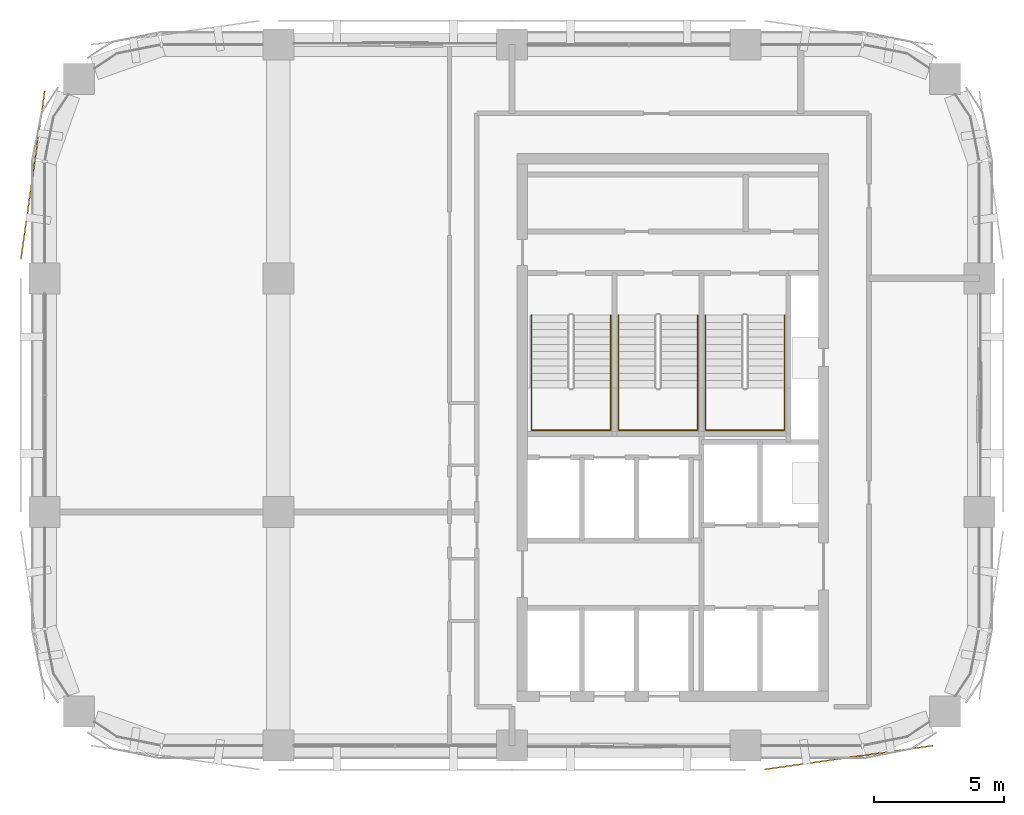
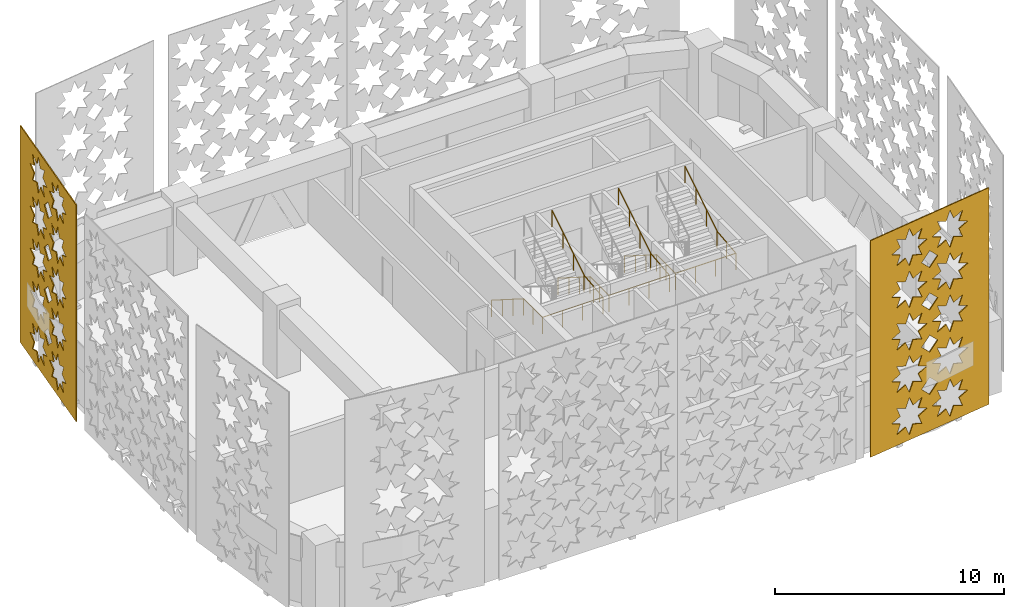
# One storey, part 11 of 14: 3 railings, 2 coverings.
"""IFC4 building model written with IfcOpenShell, lengths in metres."""

from ifc_helpers import new_model, si_unit, direction, frame, origin, origin_2d, place, context, subcontext, project, spatial, polyline, circle, outline, extrude, material, layer, layer_set, type_object, element, save


model = new_model("IFC4")

# Units and contexts
model_context = context("Model", 3, precision=1e-05, world=origin(), true_north=direction((0.0, 1.0)))
body_context = subcontext(model_context, "Body", "Model", "MODEL_VIEW")
ifc_project = project(units=[si_unit("LENGTHUNIT", "METRE"), si_unit("AREAUNIT", "SQUARE_METRE"), si_unit("VOLUMEUNIT", "CUBIC_METRE"), si_unit("PLANEANGLEUNIT", "RADIAN"), si_unit("MASSUNIT", "GRAM", prefix="KILO")], contexts=[model_context])

# Site, building, storey
site_placement = place(None, origin())
site = spatial("IfcSite", under=ifc_project, at=site_placement, CompositionType="ELEMENT")
building_placement = place(site_placement, origin())
building = spatial("IfcBuilding", under=site, at=building_placement, Name="Tessera Arch", CompositionType="ELEMENT")
storey_placement = place(building_placement, frame((0.0, 0.0, 269.60009765625)))
storey = spatial("IfcBuildingStorey", under=building, at=storey_placement, Name="L65", CompositionType="ELEMENT", Elevation=269.60009765625)

# Coverings
ifc_material_1 = material(Name="Anodised aluminium pale metal", Category="aluminium")
ifc_layer = layer(ifc_material_1, 0.050048828125)
ifc_layer_set = layer_set([ifc_layer], Name="Pierced screen panel corner bay")
covering_type = type_object("IfcCoveringType", Name="Pierced screen panel corner bay", PredefinedType="CLADDING", material=ifc_layer_set)
covering_1_placement = place(storey_placement, frame((18.02587890625, 52.2080078125, 11.699951171875), z_axis=(0.990141011378, -0.140074186016, 0.0), x_axis=(-0.140074186016, -0.990141011378, 0.0)))
element("IfcCovering", 1, at=covering_1_placement, inside=storey, type_object=covering_type, Name="SCREEN pierced panel W18.27/0 L65-L67", PredefinedType="CLADDING", context=body_context, shape_type="SweptSolid", body=[
    extrude(outline(polyline([(0.0, 0.0), (6.546475218445481, 0.0), (6.546475218445481, 11.5400390625), (0.0, 11.5400390625), (0.0, 0.0)]), holes=[polyline([(3.137858409575383, 10.27001953125), (2.6469229422635148, 10.06298828125), (2.8479028079497066, 9.570068359375), (2.354999273675671, 9.77099609375), (2.1478734734576217, 9.280029296875), (1.941990539265672, 9.77099609375), (1.447878336764857, 9.570068359375), (1.6490657382970841, 10.06298828125), (1.15788853733986, 10.27001953125), (1.6490657382970841, 10.47705078125), (1.447878336764857, 10.969970703125), (1.941990539265672, 10.76904296875), (2.1478734734576217, 11.260009765625), (2.354999273675671, 10.76904296875), (2.8479028079497066, 10.969970703125), (2.6469229422635148, 10.47705078125), (3.137858409575383, 10.27001953125)]), polyline([(3.137858409575383, 8.02001953125), (2.6469229422635148, 7.81298828125), (2.8479028079497066, 7.320068359375), (2.354999273675671, 7.52099609375), (2.1478734734576217, 7.030029296875), (1.941990539265672, 7.52099609375), (1.447878336764857, 7.320068359375), (1.6490657382970841, 7.81298828125), (1.15788853733986, 8.02001953125), (1.6490657382970841, 8.22705078125), (1.447878336764857, 8.719970703125), (1.941990539265672, 8.51904296875), (2.1478734734576217, 9.010009765625), (2.354999273675671, 8.51904296875), (2.8479028079497066, 8.719970703125), (2.6469229422635148, 8.22705078125), (3.137858409575383, 8.02001953125)]), polyline([(3.137858409575383, 5.77001953125), (2.6469229422635148, 5.56298828125), (2.8479028079497066, 5.070068359375), (2.354999273675671, 5.27099609375), (2.1478734734576217, 4.780029296875), (1.941990539265672, 5.27099609375), (1.447878336764857, 5.070068359375), (1.6490657382970841, 5.56298828125), (1.15788853733986, 5.77001953125), (1.6490657382970841, 5.97705078125), (1.447878336764857, 6.469970703125), (1.941990539265672, 6.26904296875), (2.1478734734576217, 6.760009765625), (2.354999273675671, 6.26904296875), (2.8479028079497066, 6.469970703125), (2.6469229422635148, 5.97705078125), (3.137858409575383, 5.77001953125)]), polyline([(3.137858409575383, 3.52001953125), (2.6469229422635148, 3.31298828125), (2.8479028079497066, 2.820068359375), (2.354999273675671, 3.02099609375), (2.1478734734576217, 2.530029296875), (1.941990539265672, 3.02099609375), (1.447878336764857, 2.820068359375), (1.6490657382970841, 3.31298828125), (1.15788853733986, 3.52001953125), (1.6490657382970841, 3.72705078125), (1.447878336764857, 4.219970703125), (1.941990539265672, 4.01904296875), (2.1478734734576217, 4.510009765625), (2.354999273675671, 4.01904296875), (2.8479028079497066, 4.219970703125), (2.6469229422635148, 3.72705078125), (3.137858409575383, 3.52001953125)]), polyline([(3.137858409575383, 1.27001953125), (2.6469229422635148, 1.06298828125), (2.8479028079497066, 0.570068359375), (2.354999273675671, 0.77099609375), (2.1478734734576217, 0.280029296875), (1.941990539265672, 0.77099609375), (1.447878336764857, 0.570068359375), (1.6490657382970841, 1.06298828125), (1.15788853733986, 1.27001953125), (1.6490657382970841, 1.47705078125), (1.447878336764857, 1.969970703125), (1.941990539265672, 1.76904296875), (2.1478734734576217, 2.260009765625), (2.354999273675671, 1.76904296875), (2.8479028079497066, 1.969970703125), (2.6469229422635148, 1.47705078125), (3.137858409575383, 1.27001953125)]), polyline([(5.387827282370234, 10.27001953125), (4.896891815058366, 10.06298828125), (5.097871680744557, 9.570068359375), (4.604968146470521, 9.77099609375), (4.397842346252473, 9.280029296875), (4.191959412060523, 9.77099609375), (3.698088943205064, 9.570068359375), (3.899034611091935, 10.06298828125), (3.407857410134711, 10.27001953125), (3.899034611091935, 10.47705078125), (3.698088943205064, 10.969970703125), (4.191959412060523, 10.76904296875), (4.397842346252473, 11.260009765625), (4.604968146470521, 10.76904296875), (5.097871680744557, 10.969970703125), (4.896891815058366, 10.47705078125), (5.387827282370234, 10.27001953125)]), polyline([(5.387827282370234, 8.02001953125), (4.896891815058366, 7.81298828125), (5.097871680744557, 7.320068359375), (4.604968146470521, 7.52099609375), (4.397842346252473, 7.030029296875), (4.191959412060523, 7.52099609375), (3.698088943205064, 7.320068359375), (3.899034611091935, 7.81298828125), (3.407857410134711, 8.02001953125), (3.899034611091935, 8.22705078125), (3.698088943205064, 8.719970703125), (4.191959412060523, 8.51904296875), (4.397842346252473, 9.010009765625), (4.604968146470521, 8.51904296875), (5.097871680744557, 8.719970703125), (4.896891815058366, 8.22705078125), (5.387827282370234, 8.02001953125)]), polyline([(5.387827282370234, 5.77001953125), (4.896891815058366, 5.56298828125), (5.097871680744557, 5.070068359375), (4.604968146470521, 5.27099609375), (4.397842346252473, 4.780029296875), (4.191959412060523, 5.27099609375), (3.698088943205064, 5.070068359375), (3.899034611091935, 5.56298828125), (3.407857410134711, 5.77001953125), (3.899034611091935, 5.97705078125), (3.698088943205064, 6.469970703125), (4.191959412060523, 6.26904296875), (4.397842346252473, 6.760009765625), (4.604968146470521, 6.26904296875), (5.097871680744557, 6.469970703125), (4.896891815058366, 5.97705078125), (5.387827282370234, 5.77001953125)]), polyline([(5.387827282370234, 3.52001953125), (4.896891815058366, 3.31298828125), (5.097871680744557, 2.820068359375), (4.604968146470521, 3.02099609375), (4.397842346252473, 2.530029296875), (4.191959412060523, 3.02099609375), (3.698088943205064, 2.820068359375), (3.899034611091935, 3.31298828125), (3.407857410134711, 3.52001953125), (3.899034611091935, 3.72705078125), (3.698088943205064, 4.219970703125), (4.191959412060523, 4.01904296875), (4.397842346252473, 4.510009765625), (4.604968146470521, 4.01904296875), (5.097871680744557, 4.219970703125), (4.896891815058366, 3.72705078125), (5.387827282370234, 3.52001953125)]), polyline([(5.387827282370234, 1.27001953125), (4.896891815058366, 1.06298828125), (5.097871680744557, 0.570068359375), (4.604968146470521, 0.77099609375), (4.397842346252473, 0.280029296875), (4.191959412060523, 0.77099609375), (3.698088943205064, 0.570068359375), (3.899034611091935, 1.06298828125), (3.407857410134711, 1.27001953125), (3.899034611091935, 1.47705078125), (3.698088943205064, 1.969970703125), (4.191959412060523, 1.76904296875), (4.397842346252473, 2.260009765625), (4.604968146470521, 1.76904296875), (5.097871680744557, 1.969970703125), (4.896891815058366, 1.47705078125), (5.387827282370234, 1.27001953125)]), polyline([(3.7229828105764913, 9.14501953125), (3.2729958755773856, 8.695068359375), (2.8229747427789587, 9.14501953125), (3.2729958755773856, 9.594970703125), (3.7229828105764913, 9.14501953125)]), polyline([(3.7229828105764913, 6.89501953125), (3.2729958755773856, 6.445068359375), (2.8229747427789587, 6.89501953125), (3.2729958755773856, 7.344970703125), (3.7229828105764913, 6.89501953125)]), polyline([(3.7229828105764913, 4.64501953125), (3.2729958755773856, 4.195068359375), (2.8229747427789587, 4.64501953125), (3.2729958755773856, 5.094970703125), (3.7229828105764913, 4.64501953125)]), polyline([(3.7229828105764913, 2.39501953125), (3.2729958755773856, 1.945068359375), (2.8229747427789587, 2.39501953125), (3.2729958755773856, 2.844970703125), (3.7229828105764913, 2.39501953125)])]), origin(), (0.0, 0.0, -1.0), 0.050048828125),
])
covering_2_placement = place(storey_placement, frame((45.72607421875, 26.10888671875, 11.699951171875), z_axis=(-0.140074186016, 0.990141011378, 0.0), x_axis=(0.990141011378, 0.140074186016, 0.0)))
element("IfcCovering", 2, at=covering_2_placement, inside=storey, type_object=covering_type, Name="SCREEN pierced panel S27.18/3 L65-L67", PredefinedType="CLADDING", context=body_context, shape_type="SweptSolid", body=[
    extrude(outline(polyline([(0.0, 0.0), (6.546475218445481, 0.0), (6.546475218445481, 11.5400390625), (0.0, 11.5400390625), (0.0, 0.0)]), holes=[polyline([(3.1378926073747033, 10.27001953125), (2.646957140062835, 10.06298828125), (2.8479028079497066, 9.570068359375), (2.354999273675671, 9.77099609375), (2.147907671256942, 9.280029296875), (1.941990539265672, 9.77099609375), (1.4481200704102128, 9.570068359375), (1.6490657382970841, 10.06298828125), (1.158130270985216, 10.27001953125), (1.6490657382970841, 10.47705078125), (1.4481200704102128, 10.969970703125), (1.941990539265672, 10.76904296875), (2.147907671256942, 11.260009765625), (2.354999273675671, 10.76904296875), (2.8479028079497066, 10.969970703125), (2.646957140062835, 10.47705078125), (3.1378926073747033, 10.27001953125)]), polyline([(3.1378926073747033, 8.02001953125), (2.646957140062835, 7.81298828125), (2.8479028079497066, 7.320068359375), (2.354999273675671, 7.52099609375), (2.147907671256942, 7.030029296875), (1.941990539265672, 7.52099609375), (1.4481200704102128, 7.320068359375), (1.6490657382970841, 7.81298828125), (1.158130270985216, 8.02001953125), (1.6490657382970841, 8.22705078125), (1.4481200704102128, 8.719970703125), (1.941990539265672, 8.51904296875), (2.147907671256942, 9.010009765625), (2.354999273675671, 8.51904296875), (2.8479028079497066, 8.719970703125), (2.646957140062835, 8.22705078125), (3.1378926073747033, 8.02001953125)]), polyline([(3.1378926073747033, 5.77001953125), (2.646957140062835, 5.56298828125), (2.8479028079497066, 5.070068359375), (2.354999273675671, 5.27099609375), (2.147907671256942, 4.780029296875), (1.941990539265672, 5.27099609375), (1.4481200704102128, 5.070068359375), (1.6490657382970841, 5.56298828125), (1.158130270985216, 5.77001953125), (1.6490657382970841, 5.97705078125), (1.4481200704102128, 6.469970703125), (1.941990539265672, 6.26904296875), (2.147907671256942, 6.760009765625), (2.354999273675671, 6.26904296875), (2.8479028079497066, 6.469970703125), (2.646957140062835, 5.97705078125), (3.1378926073747033, 5.77001953125)]), polyline([(3.1378926073747033, 3.52001953125), (2.646957140062835, 3.31298828125), (2.8479028079497066, 2.820068359375), (2.354999273675671, 3.02099609375), (2.147907671256942, 2.530029296875), (1.941990539265672, 3.02099609375), (1.4481200704102128, 2.820068359375), (1.6490657382970841, 3.31298828125), (1.158130270985216, 3.52001953125), (1.6490657382970841, 3.72705078125), (1.4481200704102128, 4.219970703125), (1.941990539265672, 4.01904296875), (2.147907671256942, 4.510009765625), (2.354999273675671, 4.01904296875), (2.8479028079497066, 4.219970703125), (2.646957140062835, 3.72705078125), (3.1378926073747033, 3.52001953125)]), polyline([(3.1378926073747033, 1.27001953125), (2.646957140062835, 1.06298828125), (2.8479028079497066, 0.570068359375), (2.354999273675671, 0.77099609375), (2.147907671256942, 0.280029296875), (1.941990539265672, 0.77099609375), (1.4481200704102128, 0.570068359375), (1.6490657382970841, 1.06298828125), (1.158130270985216, 1.27001953125), (1.6490657382970841, 1.47705078125), (1.4481200704102128, 1.969970703125), (1.941990539265672, 1.76904296875), (2.147907671256942, 2.260009765625), (2.354999273675671, 1.76904296875), (2.8479028079497066, 1.969970703125), (2.646957140062835, 1.47705078125), (3.1378926073747033, 1.27001953125)]), polyline([(5.387861480169554, 10.27001953125), (4.896926012857686, 10.06298828125), (5.097871680744557, 9.570068359375), (4.604968146470521, 9.77099609375), (4.398118277697149, 9.280029296875), (4.191959412060523, 9.77099609375), (3.698088943205064, 9.570068359375), (3.899034611091935, 10.06298828125), (3.408099143780067, 10.27001953125), (3.899034611091935, 10.47705078125), (3.698088943205064, 10.969970703125), (4.191959412060523, 10.76904296875), (4.398118277697149, 11.260009765625), (4.604968146470521, 10.76904296875), (5.097871680744557, 10.969970703125), (4.896926012857686, 10.47705078125), (5.387861480169554, 10.27001953125)]), polyline([(5.387861480169554, 8.02001953125), (4.896926012857686, 7.81298828125), (5.097871680744557, 7.320068359375), (4.604968146470521, 7.52099609375), (4.398118277697149, 7.030029296875), (4.191959412060523, 7.52099609375), (3.698088943205064, 7.320068359375), (3.899034611091935, 7.81298828125), (3.408099143780067, 8.02001953125), (3.899034611091935, 8.22705078125), (3.698088943205064, 8.719970703125), (4.191959412060523, 8.51904296875), (4.398118277697149, 9.010009765625), (4.604968146470521, 8.51904296875), (5.097871680744557, 8.719970703125), (4.896926012857686, 8.22705078125), (5.387861480169554, 8.02001953125)]), polyline([(5.387861480169554, 5.77001953125), (4.896926012857686, 5.56298828125), (5.097871680744557, 5.070068359375), (4.604968146470521, 5.27099609375), (4.398118277697149, 4.780029296875), (4.191959412060523, 5.27099609375), (3.698088943205064, 5.070068359375), (3.899034611091935, 5.56298828125), (3.408099143780067, 5.77001953125), (3.899034611091935, 5.97705078125), (3.698088943205064, 6.469970703125), (4.191959412060523, 6.26904296875), (4.398118277697149, 6.760009765625), (4.604968146470521, 6.26904296875), (5.097871680744557, 6.469970703125), (4.896926012857686, 5.97705078125), (5.387861480169554, 5.77001953125)]), polyline([(5.387861480169554, 3.52001953125), (4.896926012857686, 3.31298828125), (5.097871680744557, 2.820068359375), (4.604968146470521, 3.02099609375), (4.398118277697149, 2.530029296875), (4.191959412060523, 3.02099609375), (3.698088943205064, 2.820068359375), (3.899034611091935, 3.31298828125), (3.408099143780067, 3.52001953125), (3.899034611091935, 3.72705078125), (3.698088943205064, 4.219970703125), (4.191959412060523, 4.01904296875), (4.398118277697149, 4.510009765625), (4.604968146470521, 4.01904296875), (5.097871680744557, 4.219970703125), (4.896926012857686, 3.72705078125), (5.387861480169554, 3.52001953125)]), polyline([(5.387861480169554, 1.27001953125), (4.896926012857686, 1.06298828125), (5.097871680744557, 0.570068359375), (4.604968146470521, 0.77099609375), (4.398118277697149, 0.280029296875), (4.191959412060523, 0.77099609375), (3.698088943205064, 0.570068359375), (3.899034611091935, 1.06298828125), (3.408099143780067, 1.27001953125), (3.899034611091935, 1.47705078125), (3.698088943205064, 1.969970703125), (4.191959412060523, 1.76904296875), (4.398118277697149, 2.260009765625), (4.604968146470521, 1.76904296875), (5.097871680744557, 1.969970703125), (4.896926012857686, 1.47705078125), (5.387861480169554, 1.27001953125)]), polyline([(3.7229828105764913, 9.14501953125), (3.2729958755773856, 8.695068359375), (2.823008940578279, 9.14501953125), (3.2729958755773856, 9.594970703125), (3.7229828105764913, 9.14501953125)]), polyline([(3.7229828105764913, 6.89501953125), (3.2729958755773856, 6.445068359375), (2.823008940578279, 6.89501953125), (3.2729958755773856, 7.344970703125), (3.7229828105764913, 6.89501953125)]), polyline([(3.7229828105764913, 4.64501953125), (3.2729958755773856, 4.195068359375), (2.823008940578279, 4.64501953125), (3.2729958755773856, 5.094970703125), (3.7229828105764913, 4.64501953125)]), polyline([(3.7229828105764913, 2.39501953125), (3.2729958755773856, 1.945068359375), (2.823008940578279, 2.39501953125), (3.2729958755773856, 2.844970703125), (3.7229828105764913, 2.39501953125)])]), origin(), (0.0, 0.0, -1.0), 0.050048828125),
])

# Railings
ifc_material_2 = material(Name="Painted steel handrail", Category="steel")
railing_type = type_object("IfcRailingType", Name="Stair handrail 900", PredefinedType="HANDRAIL", material=ifc_material_2)
railing_1_placement = place(storey_placement, frame((36.75, 43.580078125, 0.17724609375)))
element("IfcRailing", 3, at=railing_1_placement, inside=storey, type_object=railing_type, Name="L65 S1a stair handrail", PredefinedType="HANDRAIL", context=body_context, shape_type="SweptSolid", body=[
    extrude(circle(Radius=0.02392578125, at=origin_2d()), frame((0.0, 0.00341796875, 0.873779296875), z_axis=(0.0, -0.844908973607, 0.534910110503), x_axis=(1.0, 0.0, 0.0)), (0.0, 0.0, 1.0), 3.322021484375),
    extrude(circle(Radius=0.02392578125, at=origin_2d()), frame((0.0, -2.796142578125, 2.6484375), z_axis=(0.0, -1.0, 0.0), x_axis=(1.0, 0.0, 0.0)), (0.0, 0.0, 1.0), 1.63818359375),
    extrude(circle(Radius=0.02392578125, at=origin_2d()), frame((-0.00390625, -4.43017578125, 2.6484375), z_axis=(1.0, 0.0, 0.0), x_axis=(0.0, 1.0, 0.0)), (0.0, 0.0, 1.0), 3.05810546875),
    extrude(circle(Radius=0.02392578125, at=origin_2d()), frame((3.050048828125, -4.43408203125, 2.648193359375), z_axis=(0.0, 0.994140637614, 0.108094369164), x_axis=(-1.0, 0.0, 0.0)), (0.0, 0.0, 1.0), 1.647705078125),
    extrude(circle(Radius=0.02392578125, at=origin_2d()), frame((3.050048828125, -2.803466796875, 2.82373046875), z_axis=(0.0, 0.844908973607, 0.534910110503), x_axis=(-1.0, 0.0, 0.0)), (0.0, 0.0, 1.0), 3.322021484375),
    extrude(circle(Radius=0.02099609375, at=origin_2d()), origin(), (0.0, 0.0, 1.0), 0.86376953125),
    extrude(circle(Radius=0.02099609375, at=origin_2d()), frame((0.0, -0.933349609375, 0.5908203125)), (0.0, 0.0, 1.0), 0.86376953125),
    extrude(circle(Radius=0.02099609375, at=origin_2d()), frame((0.0, -1.86669921875, 1.181884765625)), (0.0, 0.0, 1.0), 0.86376953125),
    extrude(circle(Radius=0.02099609375, at=origin_2d()), frame((0.0, -2.800048828125, 1.772705078125)), (0.0, 0.0, 1.0), 0.86376953125),
    extrude(circle(Radius=0.02099609375, at=origin_2d()), frame((0.0, -3.615234375, 1.772705078125)), (0.0, 0.0, 1.0), 0.86376953125),
    extrude(circle(Radius=0.02099609375, at=origin_2d()), frame((0.0, -4.43017578125, 1.772705078125)), (0.0, 0.0, 1.0), 0.86376953125),
    extrude(circle(Radius=0.02099609375, at=origin_2d()), frame((1.0166015625, -4.43017578125, 1.772705078125)), (0.0, 0.0, 1.0), 0.86376953125),
    extrude(circle(Radius=0.02099609375, at=origin_2d()), frame((2.033447265625, -4.43017578125, 1.772705078125)), (0.0, 0.0, 1.0), 0.86376953125),
    extrude(circle(Radius=0.02099609375, at=origin_2d()), frame((3.050048828125, -4.43017578125, 1.772705078125)), (0.0, 0.0, 1.0), 0.86376953125),
    extrude(circle(Radius=0.02099609375, at=origin_2d()), frame((3.050048828125, -3.615234375, 1.861328125)), (0.0, 0.0, 1.0), 0.86376953125),
    extrude(circle(Radius=0.02099609375, at=origin_2d()), frame((3.050048828125, -2.800048828125, 1.949951171875)), (0.0, 0.0, 1.0), 0.86376953125),
    extrude(circle(Radius=0.02099609375, at=origin_2d()), frame((3.050048828125, -1.86669921875, 2.540771484375)), (0.0, 0.0, 1.0), 0.86376953125),
    extrude(circle(Radius=0.02099609375, at=origin_2d()), frame((3.050048828125, -0.933349609375, 3.1318359375)), (0.0, 0.0, 1.0), 0.86376953125),
    extrude(circle(Radius=0.02099609375, at=origin_2d()), frame((3.050048828125, 0.0, 3.72265625)), (0.0, 0.0, 1.0), 0.86376953125),
])
railing_2_placement = place(storey_placement, frame((40.10009765625, 43.580078125, 0.17724609375)))
element("IfcRailing", 4, at=railing_2_placement, inside=storey, type_object=railing_type, Name="L65 S1b stair handrail", PredefinedType="HANDRAIL", context=body_context, shape_type="SweptSolid", body=[
    extrude(circle(Radius=0.02392578125, at=origin_2d()), frame((0.0, 0.00341796875, 0.873779296875), z_axis=(0.0, -0.844908973607, 0.534910110503), x_axis=(1.0, 0.0, 0.0)), (0.0, 0.0, 1.0), 3.322021484375),
    extrude(circle(Radius=0.02392578125, at=origin_2d()), frame((0.0, -2.796142578125, 2.6484375), z_axis=(0.0, -1.0, 0.0), x_axis=(1.0, 0.0, 0.0)), (0.0, 0.0, 1.0), 1.63818359375),
    extrude(circle(Radius=0.02392578125, at=origin_2d()), frame((-0.00390625, -4.43017578125, 2.6484375), z_axis=(1.0, 0.0, 0.0), x_axis=(0.0, 1.0, 0.0)), (0.0, 0.0, 1.0), 3.057861328125),
    extrude(circle(Radius=0.02392578125, at=origin_2d()), frame((3.0498046875, -4.43408203125, 2.648193359375), z_axis=(0.0, 0.994140637614, 0.108094369164), x_axis=(-1.0, 0.0, 0.0)), (0.0, 0.0, 1.0), 1.647705078125),
    extrude(circle(Radius=0.02392578125, at=origin_2d()), frame((3.0498046875, -2.803466796875, 2.82373046875), z_axis=(0.0, 0.844908973607, 0.534910110503), x_axis=(-1.0, 0.0, 0.0)), (0.0, 0.0, 1.0), 3.322021484375),
    extrude(circle(Radius=0.02099609375, at=origin_2d()), origin(), (0.0, 0.0, 1.0), 0.86376953125),
    extrude(circle(Radius=0.02099609375, at=origin_2d()), frame((0.0, -0.933349609375, 0.5908203125)), (0.0, 0.0, 1.0), 0.86376953125),
    extrude(circle(Radius=0.02099609375, at=origin_2d()), frame((0.0, -1.86669921875, 1.181884765625)), (0.0, 0.0, 1.0), 0.86376953125),
    extrude(circle(Radius=0.02099609375, at=origin_2d()), frame((0.0, -2.800048828125, 1.772705078125)), (0.0, 0.0, 1.0), 0.86376953125),
    extrude(circle(Radius=0.02099609375, at=origin_2d()), frame((0.0, -3.615234375, 1.772705078125)), (0.0, 0.0, 1.0), 0.86376953125),
    extrude(circle(Radius=0.02099609375, at=origin_2d()), frame((0.0, -4.43017578125, 1.772705078125)), (0.0, 0.0, 1.0), 0.86376953125),
    extrude(circle(Radius=0.02099609375, at=origin_2d()), frame((1.0166015625, -4.43017578125, 1.772705078125)), (0.0, 0.0, 1.0), 0.86376953125),
    extrude(circle(Radius=0.02099609375, at=origin_2d()), frame((2.033203125, -4.43017578125, 1.772705078125)), (0.0, 0.0, 1.0), 0.86376953125),
    extrude(circle(Radius=0.02099609375, at=origin_2d()), frame((3.0498046875, -4.43017578125, 1.772705078125)), (0.0, 0.0, 1.0), 0.86376953125),
    extrude(circle(Radius=0.02099609375, at=origin_2d()), frame((3.0498046875, -3.615234375, 1.861328125)), (0.0, 0.0, 1.0), 0.86376953125),
    extrude(circle(Radius=0.02099609375, at=origin_2d()), frame((3.0498046875, -2.800048828125, 1.949951171875)), (0.0, 0.0, 1.0), 0.86376953125),
    extrude(circle(Radius=0.02099609375, at=origin_2d()), frame((3.0498046875, -1.86669921875, 2.540771484375)), (0.0, 0.0, 1.0), 0.86376953125),
    extrude(circle(Radius=0.02099609375, at=origin_2d()), frame((3.0498046875, -0.933349609375, 3.1318359375)), (0.0, 0.0, 1.0), 0.86376953125),
    extrude(circle(Radius=0.02099609375, at=origin_2d()), frame((3.0498046875, 0.0, 3.72265625)), (0.0, 0.0, 1.0), 0.86376953125),
])
railing_3_placement = place(storey_placement, frame((43.449951171875, 43.580078125, 0.17724609375)))
element("IfcRailing", 5, at=railing_3_placement, inside=storey, type_object=railing_type, Name="L65 S1c stair handrail", PredefinedType="HANDRAIL", context=body_context, shape_type="SweptSolid", body=[
    extrude(circle(Radius=0.02392578125, at=origin_2d()), frame((0.0, 0.00341796875, 0.873779296875), z_axis=(0.0, -0.844908973607, 0.534910110503), x_axis=(1.0, 0.0, 0.0)), (0.0, 0.0, 1.0), 3.322021484375),
    extrude(circle(Radius=0.02392578125, at=origin_2d()), frame((0.0, -2.796142578125, 2.6484375), z_axis=(0.0, -1.0, 0.0), x_axis=(1.0, 0.0, 0.0)), (0.0, 0.0, 1.0), 1.63818359375),
    extrude(circle(Radius=0.02392578125, at=origin_2d()), frame((-0.00390625, -4.43017578125, 2.6484375), z_axis=(1.0, 0.0, 0.0), x_axis=(0.0, 1.0, 0.0)), (0.0, 0.0, 1.0), 3.05810546875),
    extrude(circle(Radius=0.02392578125, at=origin_2d()), frame((3.050048828125, -4.43408203125, 2.648193359375), z_axis=(0.0, 0.994140637614, 0.108094369164), x_axis=(-1.0, 0.0, 0.0)), (0.0, 0.0, 1.0), 1.647705078125),
    extrude(circle(Radius=0.02392578125, at=origin_2d()), frame((3.050048828125, -2.803466796875, 2.82373046875), z_axis=(0.0, 0.844908973607, 0.534910110503), x_axis=(-1.0, 0.0, 0.0)), (0.0, 0.0, 1.0), 3.322021484375),
    extrude(circle(Radius=0.02099609375, at=origin_2d()), origin(), (0.0, 0.0, 1.0), 0.86376953125),
    extrude(circle(Radius=0.02099609375, at=origin_2d()), frame((0.0, -0.933349609375, 0.5908203125)), (0.0, 0.0, 1.0), 0.86376953125),
    extrude(circle(Radius=0.02099609375, at=origin_2d()), frame((0.0, -1.86669921875, 1.181884765625)), (0.0, 0.0, 1.0), 0.86376953125),
    extrude(circle(Radius=0.02099609375, at=origin_2d()), frame((0.0, -2.800048828125, 1.772705078125)), (0.0, 0.0, 1.0), 0.86376953125),
    extrude(circle(Radius=0.02099609375, at=origin_2d()), frame((0.0, -3.615234375, 1.772705078125)), (0.0, 0.0, 1.0), 0.86376953125),
    extrude(circle(Radius=0.02099609375, at=origin_2d()), frame((0.0, -4.43017578125, 1.772705078125)), (0.0, 0.0, 1.0), 0.86376953125),
    extrude(circle(Radius=0.02099609375, at=origin_2d()), frame((1.0166015625, -4.43017578125, 1.772705078125)), (0.0, 0.0, 1.0), 0.86376953125),
    extrude(circle(Radius=0.02099609375, at=origin_2d()), frame((2.033447265625, -4.43017578125, 1.772705078125)), (0.0, 0.0, 1.0), 0.86376953125),
    extrude(circle(Radius=0.02099609375, at=origin_2d()), frame((3.050048828125, -4.43017578125, 1.772705078125)), (0.0, 0.0, 1.0), 0.86376953125),
    extrude(circle(Radius=0.02099609375, at=origin_2d()), frame((3.050048828125, -3.615234375, 1.861328125)), (0.0, 0.0, 1.0), 0.86376953125),
    extrude(circle(Radius=0.02099609375, at=origin_2d()), frame((3.050048828125, -2.800048828125, 1.949951171875)), (0.0, 0.0, 1.0), 0.86376953125),
    extrude(circle(Radius=0.02099609375, at=origin_2d()), frame((3.050048828125, -1.86669921875, 2.540771484375)), (0.0, 0.0, 1.0), 0.86376953125),
    extrude(circle(Radius=0.02099609375, at=origin_2d()), frame((3.050048828125, -0.933349609375, 3.1318359375)), (0.0, 0.0, 1.0), 0.86376953125),
    extrude(circle(Radius=0.02099609375, at=origin_2d()), frame((3.050048828125, 0.0, 3.72265625)), (0.0, 0.0, 1.0), 0.86376953125),
])

save(model, "model.ifc")
